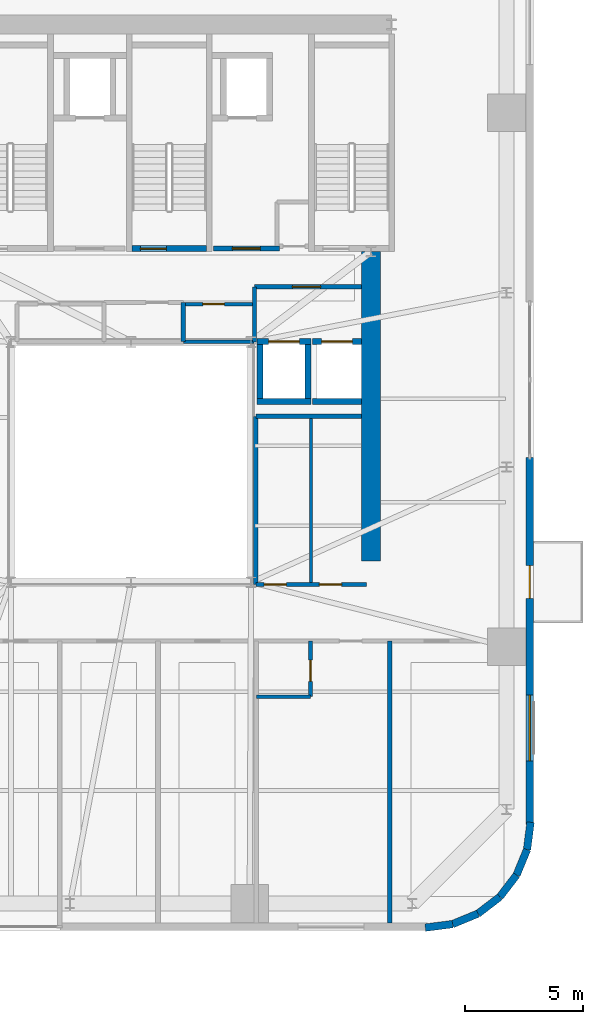
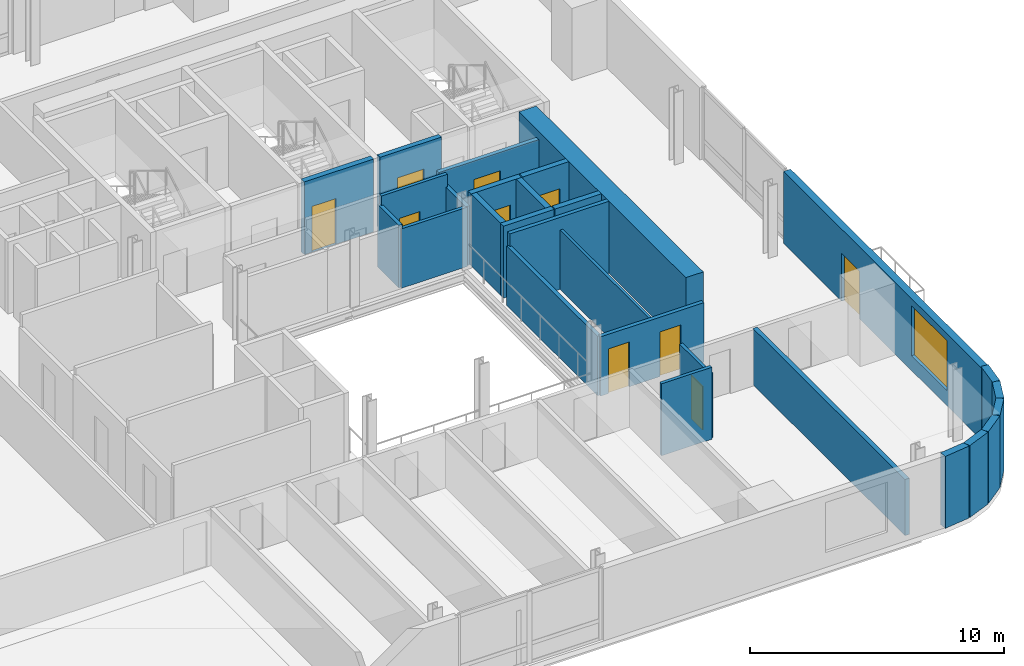
# One storey, part 7 of 14: 28 walls, 10 doors, 1 window, 11 openings.
"""IFC4 building model written with IfcOpenShell, lengths in metres."""

from ifc_helpers import new_model, si_unit, direction, frame, frame_2d, origin, place, context, subcontext, project, spatial, rectangle, extrude, source, transform, mapped, material, layer, layer_set, type_object, element, fill, save


model = new_model("IFC4")

# Units and contexts
model_context = context("Model", 3, precision=1e-05, world=origin(), true_north=direction((0.0, 1.0)))
body_context = subcontext(model_context, "Body", "Model", "MODEL_VIEW")
ifc_project = project(units=[si_unit("LENGTHUNIT", "METRE"), si_unit("AREAUNIT", "SQUARE_METRE"), si_unit("VOLUMEUNIT", "CUBIC_METRE"), si_unit("PLANEANGLEUNIT", "RADIAN"), si_unit("MASSUNIT", "GRAM", prefix="KILO")], contexts=[model_context])

# Site, building, storey
site_placement = place(None, origin())
site = spatial("IfcSite", under=ifc_project, at=site_placement, CompositionType="ELEMENT")
building_placement = place(site_placement, origin())
building = spatial("IfcBuilding", under=site, at=building_placement, Name="Vardaveli Station Tower", CompositionType="ELEMENT")
storey_placement = place(building_placement, frame((0.0, 0.0, 126.10009765625)))
storey = spatial("IfcBuildingStorey", under=building, at=storey_placement, Name="L32", CompositionType="ELEMENT", Elevation=126.10009765625)

# Wall
ifc_material_1 = material(Name="Concrete C50/60", Category="concrete")
ifc_layer_1 = layer(ifc_material_1, 0.800048828125, Name="Concrete C50/60")
ifc_layer_set_1 = layer_set([ifc_layer_1], Name="Concrete C50/60")
wall_type_1 = type_object("IfcWallType", Name="WAL-CORE-800", PredefinedType="SHEAR", material=ifc_layer_set_1)
shared_shape_1 = source(origin(), body_context, "Body", "SweptSolid", [
    extrude(rectangle(XDim=13.14990234375, YDim=0.800048828125, at=frame_2d((6.574951171875, 0.0))), origin(), (0.0, 0.0, 1.0), 3.4599609375),
])
wall_1_placement = place(storey_placement, frame((46.5, 17.5, 0.0), z_axis=(0.0, 0.0, 1.0), x_axis=(0.0, 1.0, 0.0)))
element("IfcWall", 1, at=wall_1_placement, inside=storey, type_object=wall_type_1, Name="SW-L32-EAST2", PredefinedType="SHEAR", context=body_context, shape_type="MappedRepresentation", body=[
    mapped(shared_shape_1, transform((0.0, 0.0, 0.0), scale=1.0)),
])

# Wall, openings, door, window
ifc_material_2 = material(Name="Precast concrete C45/55", Category="concrete")
ifc_layer_2 = layer(ifc_material_2, 0.320068359375, Name="Precast concrete C45/55")
ifc_layer_set_2 = layer_set([ifc_layer_2], Name="Precast concrete C45/55")
wall_type_2 = type_object("IfcWallType", Name="WAL-EXT-STONE-320", PredefinedType="SOLIDWALL", material=ifc_layer_set_2)
shared_shape_2 = source(origin(), body_context, "Body", "SweptSolid", [
    extrude(rectangle(XDim=15.599853515625, YDim=0.320068359375, at=frame_2d((7.7998046875, 0.0))), origin(), (0.0, 0.0, 1.0), 3.4599609375),
])
wall_2_placement = place(storey_placement, frame((53.239990234375, 6.300048828125, 0.0), z_axis=(0.0, 0.0, 1.0), x_axis=(0.0, 1.0, 0.0)))
wall_2 = element("IfcWall", 2, at=wall_2_placement, inside=storey, type_object=wall_type_2, Name="EW-L32-E1", PredefinedType="SOLIDWALL", context=body_context, shape_type="MappedRepresentation", body=[
    mapped(shared_shape_2, transform((0.0, 0.0, 0.0), scale=1.0)),
])
shared_shape_3 = source(origin(), body_context, "Body", "SweptSolid", [
    extrude(rectangle(XDim=1.39990234375, YDim=2.300048828125, at=frame_2d((0.699951171875, 1.14990234375))), frame((0.0, 0.169921875, 0.0), z_axis=(0.0, -1.0, 0.0), x_axis=(1.0, 0.0, 0.0)), (0.0, 0.0, 1.0), 0.340087890625),
])
opening_1_placement = place(wall_2_placement, frame((9.6103515625, 0.0, 0.0)))
opening_1 = element("IfcOpeningElement", 3, at=opening_1_placement, cuts=wall_2, Name="Opening D-09", PredefinedType="OPENING", context=body_context, shape_type="MappedRepresentation", body=[
    mapped(shared_shape_3, transform((0.0, 0.0, 0.0), scale=1.0)),
])
shared_shape_4 = source(origin(), body_context, "Body", "SweptSolid", [
    extrude(rectangle(XDim=2.800048828125, YDim=2.39990234375, at=frame_2d((1.39990234375, 1.199951171875))), frame((0.0, 0.169921875, 0.0), z_axis=(0.0, -1.0, 0.0), x_axis=(1.0, 0.0, 0.0)), (0.0, 0.0, 1.0), 0.340087890625),
])
opening_2_placement = place(wall_2_placement, frame((2.705078125, 0.0, 0.719970703125)))
opening_2 = element("IfcOpeningElement", 4, at=opening_2_placement, cuts=wall_2, Name="Opening W-04", PredefinedType="OPENING", context=body_context, shape_type="MappedRepresentation", body=[
    mapped(shared_shape_4, transform((0.0, 0.0, 0.0), scale=1.0)),
])
ifc_material_3 = material(Name="Thermally broken aluminium glass", Category="aluminium")
door_type_1 = type_object("IfcDoorType", Name="DR-LOG-1400x2300", OperationType="DOUBLE_DOOR_SLIDING", PredefinedType="DOOR", material=ifc_material_3)
shared_shape_5 = source(origin(), body_context, "Body", "SweptSolid", [
    extrude(rectangle(XDim=1.39990234375, YDim=2.300048828125, at=frame_2d((0.699951171875, 1.14990234375))), frame((0.0, 0.02490234375, 0.0), z_axis=(0.0, -1.0, 0.0), x_axis=(1.0, 0.0, 0.0)), (0.0, 0.0, 1.0), 0.050048828125),
])
door_1_placement = place(opening_1_placement, frame((1.39990234375, 0.0, 0.0), z_axis=(0.0, 0.0, 1.0), x_axis=(-1.0, 0.0, 0.0)))
door_1 = element("IfcDoor", 5, at=door_1_placement, inside=storey, type_object=door_type_1, Name="DLG-L32-E", OperationType="DOUBLE_DOOR_SLIDING", OverallHeight=2.300048828125, OverallWidth=1.39990234375, PredefinedType="DOOR", context=body_context, shape_type="MappedRepresentation", body=[
    mapped(shared_shape_5, transform((0.0, 0.0, 0.0), scale=1.0)),
])
fill(opening_1, door_1)
ifc_material_4 = material(Name="Low-E solar-control glass", Category="glass")
window_type = type_object("IfcWindowType", Name="WIN-SUITE-2800x2400", PartitioningType="SINGLE_PANEL", PredefinedType="WINDOW", material=ifc_material_4)
shared_shape_6 = source(origin(), body_context, "Body", "SweptSolid", [
    extrude(rectangle(XDim=2.800048828125, YDim=2.39990234375, at=frame_2d((1.39990234375, 1.199951171875))), frame((0.0, 0.030029296875, 0.0), z_axis=(0.0, -1.0, 0.0), x_axis=(1.0, 0.0, 0.0)), (0.0, 0.0, 1.0), 0.06005859375),
])
window_placement = place(opening_2_placement, origin())
window = element("IfcWindow", 6, at=window_placement, inside=storey, type_object=window_type, Name="WN-L32-E1", OverallHeight=2.39990234375, OverallWidth=2.800048828125, PartitioningType="SINGLE_PANEL", PredefinedType="WINDOW", context=body_context, shape_type="MappedRepresentation", body=[
    mapped(shared_shape_6, transform((0.0, 0.0, 0.0), scale=1.0)),
])
fill(opening_2, window)

# Walls
shared_shape_7 = source(origin(), body_context, "Body", "SweptSolid", [
    extrude(rectangle(XDim=1.170654296875, YDim=0.320068359375, at=frame_2d((0.58544921875, 0.0))), origin(), (0.0, 0.0, 1.0), 3.4599609375),
])
wall_3_placement = place(storey_placement, frame((53.12548828125, 5.23974609375, 0.0), z_axis=(0.0, 0.0, 1.0), x_axis=(0.128269133229, 0.991739395941, 0.0)))
element("IfcWall", 7, at=wall_3_placement, inside=storey, type_object=wall_type_2, Name="EW-L32-CR2-6", PredefinedType="SOLIDWALL", context=body_context, shape_type="MappedRepresentation", body=[
    mapped(shared_shape_7, transform((0.0, 0.0, 0.0), scale=1.0)),
])
shared_shape_8 = source(origin(), body_context, "Body", "SweptSolid", [
    extrude(rectangle(XDim=1.1689453125, YDim=0.320068359375, at=frame_2d((0.58447265625, 0.0))), origin(), (0.0, 0.0, 1.0), 3.4599609375),
])
for number, where, z_axis, x_axis, name in (
    (8, (51.96875, 3.231201171875, 0.0), (0.0, 0.0, 1.0), (0.608387696831, 0.793639975269, 0.0), "EW-L32-CR2-4"),
    (9, (52.679931640625, 4.158935546875, 0.0), (0.0, 0.0, 1.0), (0.381127904695, 0.924522320046, 0.0), "EW-L32-CR2-5"),
):
    element("IfcWall", number, at=place(storey_placement, frame(where, z_axis=z_axis, x_axis=x_axis)), inside=storey, type_object=wall_type_2, Name=name, PredefinedType="SOLIDWALL", context=body_context, shape_type="MappedRepresentation", body=[
        mapped(shared_shape_8, transform((0.0, 0.0, 0.0), scale=1.0)),
    ])
shared_shape_9 = source(origin(), body_context, "Body", "SweptSolid", [
    extrude(rectangle(XDim=1.168701171875, YDim=0.320068359375, at=frame_2d((0.58447265625, 0.0))), origin(), (0.0, 0.0, 1.0), 3.4599609375),
])
wall_4_placement = place(storey_placement, frame((51.041259765625, 2.520263671875, 0.0), z_axis=(0.0, 0.0, 1.0), x_axis=(0.793663520347, 0.608356981114, 0.0)))
element("IfcWall", 10, at=wall_4_placement, inside=storey, type_object=wall_type_2, Name="EW-L32-CR2-3", PredefinedType="SOLIDWALL", context=body_context, shape_type="MappedRepresentation", body=[
    mapped(shared_shape_9, transform((0.0, 0.0, 0.0), scale=1.0)),
])
shared_shape_10 = source(origin(), body_context, "Body", "SweptSolid", [
    extrude(rectangle(XDim=1.16943359375, YDim=0.320068359375, at=frame_2d((0.584716796875, 0.0))), origin(), (0.0, 0.0, 1.0), 3.4599609375),
])
wall_5_placement = place(storey_placement, frame((49.960205078125, 2.074462890625, 0.0), z_axis=(0.0, 0.0, 1.0), x_axis=(0.924479075121, 0.381232789334, 0.0)))
element("IfcWall", 11, at=wall_5_placement, inside=storey, type_object=wall_type_2, Name="EW-L32-CR2-2", PredefinedType="SOLIDWALL", context=body_context, shape_type="MappedRepresentation", body=[
    mapped(shared_shape_10, transform((0.0, 0.0, 0.0), scale=1.0)),
])
shared_shape_11 = source(origin(), body_context, "Body", "SweptSolid", [
    extrude(rectangle(XDim=1.170166015625, YDim=0.320068359375, at=frame_2d((0.5849609375, 0.0))), origin(), (0.0, 0.0, 1.0), 3.4599609375),
])
wall_6_placement = place(storey_placement, frame((48.799560546875, 1.924560546875, 0.0), z_axis=(0.0, 0.0, 1.0), x_axis=(0.991762485493, 0.128090485085, 0.0)))
element("IfcWall", 12, at=wall_6_placement, inside=storey, type_object=wall_type_2, Name="EW-L32-CR2-1", PredefinedType="SOLIDWALL", context=body_context, shape_type="MappedRepresentation", body=[
    mapped(shared_shape_11, transform((0.0, 0.0, 0.0), scale=1.0)),
])

# Wall, opening, door
ifc_material_5 = material(Name="Concrete C40/50", Category="concrete")
ifc_layer_3 = layer(ifc_material_5, 0.25, Name="Concrete C40/50")
ifc_layer_set_3 = layer_set([ifc_layer_3], Name="Concrete C40/50")
wall_type_3 = type_object("IfcWallType", Name="WAL-SHAFT-250", PredefinedType="SOLIDWALL", material=ifc_layer_set_3)
shared_shape_12 = source(origin(), body_context, "Body", "SweptSolid", [
    extrude(rectangle(XDim=3.14990234375, YDim=0.25, at=frame_2d((1.574951171875, 0.0))), origin(), (0.0, 0.0, 1.0), 3.5),
])
wall_7_placement = place(storey_placement, frame((36.35009765625, 30.77490234375, 0.0), z_axis=(0.0, 0.0, 1.0), x_axis=(1.0, 0.0, 0.0)))
wall_7 = element("IfcWall", 13, at=wall_7_placement, inside=storey, type_object=wall_type_3, Name="W-L32-ST-2S", PredefinedType="SOLIDWALL", context=body_context, shape_type="MappedRepresentation", body=[
    mapped(shared_shape_12, transform((0.0, 0.0, 0.0), scale=1.0)),
])
shared_shape_13 = source(origin(), body_context, "Body", "SweptSolid", [
    extrude(rectangle(XDim=1.10009765625, YDim=2.199951171875, at=frame_2d((0.550048828125, 1.10009765625))), frame((0.0, 0.135009765625, 0.0), z_axis=(0.0, -1.0, 0.0), x_axis=(1.0, 0.0, 0.0)), (0.0, 0.0, 1.0), 0.27001953125),
])
opening_3_placement = place(wall_7_placement, frame((0.35009765625, 0.0, 0.0)))
opening_3 = element("IfcOpeningElement", 14, at=opening_3_placement, cuts=wall_7, Name="Opening D-04", PredefinedType="OPENING", context=body_context, shape_type="MappedRepresentation", body=[
    mapped(shared_shape_13, transform((0.0, 0.0, 0.0), scale=1.0)),
])
ifc_material_6 = material(Name="Steel smokeproof fire doorset", Category="steel")
door_type_2 = type_object("IfcDoorType", Name="DR-ST-1100x2200", OperationType="NOTDEFINED", PredefinedType="DOOR", material=ifc_material_6)
shared_shape_14 = source(origin(), body_context, "Body", "SweptSolid", [
    extrude(rectangle(XDim=1.10009765625, YDim=2.199951171875, at=frame_2d((0.550048828125, 1.10009765625))), frame((0.0, 0.02490234375, 0.0), z_axis=(0.0, -1.0, 0.0), x_axis=(1.0, 0.0, 0.0)), (0.0, 0.0, 1.0), 0.050048828125),
])
door_2_placement = place(opening_3_placement, origin())
door_2 = element("IfcDoor", 15, at=door_2_placement, inside=storey, type_object=door_type_2, Name="DST-2-L32", OperationType="SINGLE_SWING_LEFT", OverallHeight=2.199951171875, OverallWidth=1.10009765625, PredefinedType="DOOR", context=body_context, shape_type="MappedRepresentation", body=[
    mapped(shared_shape_14, transform((0.0, 0.0, 0.0), scale=1.0)),
])
fill(opening_3, door_2)

ifc_layer_4 = layer(ifc_material_5, 0.219970703125, Name="Concrete C40/50")
ifc_layer_set_4 = layer_set([ifc_layer_4], Name="Concrete C40/50")
wall_type_4 = type_object("IfcWallType", Name="WAL-FFLOBBY-220", PredefinedType="SOLIDWALL", material=ifc_layer_set_4)
shared_shape_15 = source(origin(), body_context, "Body", "SweptSolid", [
    extrude(rectangle(XDim=2.800048828125, YDim=0.219970703125, at=frame_2d((1.39990234375, 0.0))), origin(), (0.0, 0.0, 1.0), 3.4599609375),
])
wall_8_placement = place(storey_placement, frame((39.800048828125, 30.780029296875, 0.0), z_axis=(0.0, 0.0, 1.0), x_axis=(1.0, 0.0, 0.0)))
wall_8 = element("IfcWall", 16, at=wall_8_placement, inside=storey, type_object=wall_type_4, Name="W-L32-FFL2S", PredefinedType="SOLIDWALL", context=body_context, shape_type="MappedRepresentation", body=[
    mapped(shared_shape_15, transform((0.0, 0.0, 0.0), scale=1.0)),
])
shared_shape_16 = source(origin(), body_context, "Body", "SweptSolid", [
    extrude(rectangle(XDim=1.199951171875, YDim=2.199951171875, at=frame_2d((0.60009765625, 1.10009765625))), frame((0.0, 0.1201171875, 0.0), z_axis=(0.0, -1.0, 0.0), x_axis=(1.0, 0.0, 0.0)), (0.0, 0.0, 1.0), 0.239990234375),
])
opening_4_placement = place(wall_8_placement, frame((0.800048828125, 0.0, 0.0)))
opening_4 = element("IfcOpeningElement", 17, at=opening_4_placement, cuts=wall_8, Name="Opening D-03", PredefinedType="OPENING", context=body_context, shape_type="MappedRepresentation", body=[
    mapped(shared_shape_16, transform((0.0, 0.0, 0.0), scale=1.0)),
])
door_type_3 = type_object("IfcDoorType", Name="DR-FFL-1200x2200", OperationType="NOTDEFINED", PredefinedType="DOOR", material=ifc_material_6)
shared_shape_17 = source(origin(), body_context, "Body", "SweptSolid", [
    extrude(rectangle(XDim=1.199951171875, YDim=2.199951171875, at=frame_2d((0.60009765625, 1.10009765625))), frame((0.0, 0.02490234375, 0.0), z_axis=(0.0, -1.0, 0.0), x_axis=(1.0, 0.0, 0.0)), (0.0, 0.0, 1.0), 0.050048828125),
])
door_3_placement = place(opening_4_placement, origin())
door_3 = element("IfcDoor", 18, at=door_3_placement, inside=storey, type_object=door_type_3, Name="DFFL2-L32", OperationType="SINGLE_SWING_RIGHT", OverallHeight=2.199951171875, OverallWidth=1.199951171875, PredefinedType="DOOR", context=body_context, shape_type="MappedRepresentation", body=[
    mapped(shared_shape_17, transform((0.0, 0.0, 0.0), scale=1.0)),
])
fill(opening_4, door_3)

# Wall
shared_shape_18 = source(origin(), body_context, "Body", "SweptSolid", [
    extrude(rectangle(XDim=2.300048828125, YDim=0.25, at=frame_2d((1.14990234375, 0.0))), origin(), (0.0, 0.0, 1.0), 3.4599609375),
])
wall_9_placement = place(storey_placement, frame((41.64990234375, 24.27490234375, 0.0), z_axis=(0.0, 0.0, 1.0), x_axis=(1.0, 0.0, 0.0)))
element("IfcWall", 19, at=wall_9_placement, inside=storey, type_object=wall_type_3, Name="SHW-SRV-01-L32-S", PredefinedType="SOLIDWALL", context=body_context, shape_type="MappedRepresentation", body=[
    mapped(shared_shape_18, transform((0.0, 0.0, 0.0), scale=1.0)),
])

# Wall, opening, door
wall_10_placement = place(storey_placement, frame((41.64990234375, 26.824951171875, 0.0), z_axis=(0.0, 0.0, 1.0), x_axis=(1.0, 0.0, 0.0)))
wall_10 = element("IfcWall", 20, at=wall_10_placement, inside=storey, type_object=wall_type_3, Name="SHW-SRV-01-L32-N", PredefinedType="SOLIDWALL", context=body_context, shape_type="MappedRepresentation", body=[
    mapped(shared_shape_18, transform((0.0, 0.0, 0.0), scale=1.0)),
])
shared_shape_19 = source(origin(), body_context, "Body", "SweptSolid", [
    extrude(rectangle(XDim=1.300048828125, YDim=2.300048828125, at=frame_2d((0.64990234375, 1.14990234375))), frame((0.0, 0.135009765625, 0.0), z_axis=(0.0, -1.0, 0.0), x_axis=(1.0, 0.0, 0.0)), (0.0, 0.0, 1.0), 0.27001953125),
])
opening_5_placement = place(wall_10_placement, frame((0.5, 0.0, 0.0)))
opening_5 = element("IfcOpeningElement", 21, at=opening_5_placement, cuts=wall_10, Name="Opening LD-03", PredefinedType="OPENING", context=body_context, shape_type="MappedRepresentation", body=[
    mapped(shared_shape_19, transform((0.0, 0.0, 0.0), scale=1.0)),
])
ifc_material_7 = material(Name="Brushed stainless steel", Category="steel")
door_type_4 = type_object("IfcDoorType", Name="DR-LD-1300x2300", OperationType="DOUBLE_DOOR_SLIDING", PredefinedType="DOOR", material=ifc_material_7)
shared_shape_20 = source(origin(), body_context, "Body", "SweptSolid", [
    extrude(rectangle(XDim=1.300048828125, YDim=2.300048828125, at=frame_2d((0.64990234375, 1.14990234375))), frame((0.0, 0.02490234375, 0.0), z_axis=(0.0, -1.0, 0.0), x_axis=(1.0, 0.0, 0.0)), (0.0, 0.0, 1.0), 0.050048828125),
])
door_4_placement = place(opening_5_placement, origin())
door_4 = element("IfcDoor", 22, at=door_4_placement, inside=storey, type_object=door_type_4, Name="LD-SRV-01-L32", OperationType="DOUBLE_DOOR_SLIDING", OverallHeight=2.300048828125, OverallWidth=1.300048828125, PredefinedType="DOOR", context=body_context, shape_type="MappedRepresentation", body=[
    mapped(shared_shape_20, transform((0.0, 0.0, 0.0), scale=1.0)),
])
fill(opening_5, door_4)

# Walls
for number, where, z_axis, x_axis, name in (
    (23, (41.77490234375, 24.39990234375, 0.0), (0.0, 0.0, 1.0), (0.0, 1.0, 0.0), "SHW-SRV-01-L32-W"),
    (24, (43.824951171875, 24.39990234375, 0.0), (0.0, 0.0, 1.0), (0.0, 1.0, 0.0), "SHW-SRV-01-L32-E"),
):
    element("IfcWall", number, at=place(storey_placement, frame(where, z_axis=z_axis, x_axis=x_axis)), inside=storey, type_object=wall_type_3, Name=name, PredefinedType="SOLIDWALL", context=body_context, shape_type="MappedRepresentation", body=[
        mapped(shared_shape_18, transform((0.0, 0.0, 0.0), scale=1.0)),
    ])
shared_shape_21 = source(origin(), body_context, "Body", "SweptSolid", [
    extrude(rectangle(XDim=2.10009765625, YDim=0.25, at=frame_2d((1.050048828125, 0.0))), origin(), (0.0, 0.0, 1.0), 3.4599609375),
])
wall_11_placement = place(storey_placement, frame((44.0, 24.27490234375, 0.0), z_axis=(0.0, 0.0, 1.0), x_axis=(1.0, 0.0, 0.0)))
element("IfcWall", 25, at=wall_11_placement, inside=storey, type_object=wall_type_3, Name="SHW-SRV-02-L32-S", PredefinedType="SOLIDWALL", context=body_context, shape_type="MappedRepresentation", body=[
    mapped(shared_shape_21, transform((0.0, 0.0, 0.0), scale=1.0)),
])

# Wall, opening, door
wall_12_placement = place(storey_placement, frame((44.0, 26.824951171875, 0.0), z_axis=(0.0, 0.0, 1.0), x_axis=(1.0, 0.0, 0.0)))
wall_12 = element("IfcWall", 26, at=wall_12_placement, inside=storey, type_object=wall_type_3, Name="SHW-SRV-02-L32-N", PredefinedType="SOLIDWALL", context=body_context, shape_type="MappedRepresentation", body=[
    mapped(shared_shape_21, transform((0.0, 0.0, 0.0), scale=1.0)),
])
opening_6_placement = place(wall_12_placement, frame((0.39990234375, 0.0, 0.0)))
opening_6 = element("IfcOpeningElement", 27, at=opening_6_placement, cuts=wall_12, Name="Opening LD-03", PredefinedType="OPENING", context=body_context, shape_type="MappedRepresentation", body=[
    mapped(shared_shape_19, transform((0.0, 0.0, 0.0), scale=1.0)),
])
door_5_placement = place(opening_6_placement, origin())
door_5 = element("IfcDoor", 28, at=door_5_placement, inside=storey, type_object=door_type_4, Name="LD-SRV-02-L32", OperationType="DOUBLE_DOOR_SLIDING", OverallHeight=2.300048828125, OverallWidth=1.300048828125, PredefinedType="DOOR", context=body_context, shape_type="MappedRepresentation", body=[
    mapped(shared_shape_20, transform((0.0, 0.0, 0.0), scale=1.0)),
])
fill(opening_6, door_5)

# Wall
ifc_material_8 = material(Name="Fire-rated gypsum stud partition")
ifc_layer_5 = layer(ifc_material_8, 0.179931640625, Name="Fire-rated gypsum stud partition")
ifc_layer_set_5 = layer_set([ifc_layer_5], Name="Fire-rated gypsum stud partition")
wall_type_5 = type_object("IfcWallType", Name="WAL-CORR-180", PredefinedType="PARTITIONING", material=ifc_layer_set_5)
shared_shape_22 = source(origin(), body_context, "Body", "SweptSolid", [
    extrude(rectangle(XDim=4.497802734375, YDim=0.179931640625, at=frame_2d((2.2490234375, 0.0))), origin(), (0.0, 0.0, 1.0), 3.4599609375),
])
wall_13_placement = place(storey_placement, frame((41.60009765625, 23.64990234375, 0.0), z_axis=(0.0, 0.0, 1.0), x_axis=(1.0, 0.0, 0.0)))
element("IfcWall", 29, at=wall_13_placement, inside=storey, type_object=wall_type_5, Name="W-L32-ATE-N", PredefinedType="PARTITIONING", context=body_context, shape_type="MappedRepresentation", body=[
    mapped(shared_shape_22, transform((0.0, 0.0, 0.0), scale=1.0)),
])

# Wall, opening, door
ifc_material_9 = material(Name="Moisture-resistant stud partition")
ifc_layer_6 = layer(ifc_material_9, 0.14990234375, Name="Moisture-resistant stud partition")
ifc_layer_set_6 = layer_set([ifc_layer_6], Name="Moisture-resistant stud partition")
wall_type_6 = type_object("IfcWallType", Name="WAL-WET-150", PredefinedType="PARTITIONING", material=ifc_layer_set_6)
shared_shape_23 = source(origin(), body_context, "Body", "SweptSolid", [
    extrude(rectangle(XDim=3.0, YDim=0.14990234375, at=frame_2d((1.5, 0.0))), origin(), (0.0, 0.0, 1.0), 3.4599609375),
])
wall_14_placement = place(storey_placement, frame((38.52001953125, 28.419921875, 0.0), z_axis=(0.0, 0.0, 1.0), x_axis=(1.0, 0.0, 0.0)))
wall_14 = element("IfcWall", 30, at=wall_14_placement, inside=storey, type_object=wall_type_6, Name="W-L32-WCA2-N", PredefinedType="PARTITIONING", context=body_context, shape_type="MappedRepresentation", body=[
    mapped(shared_shape_23, transform((0.0, 0.0, 0.0), scale=1.0)),
])
shared_shape_24 = source(origin(), body_context, "Body", "SweptSolid", [
    extrude(rectangle(XDim=0.919921875, YDim=2.10009765625, at=frame_2d((0.4599609375, 1.050048828125))), frame((0.0, 0.0849609375, 0.0), z_axis=(0.0, -1.0, 0.0), x_axis=(1.0, 0.0, 0.0)), (0.0, 0.0, 1.0), 0.169921875),
])
opening_7_placement = place(wall_14_placement, frame((0.830078125, 0.0, 0.0)))
opening_7 = element("IfcOpeningElement", 31, at=opening_7_placement, cuts=wall_14, Name="Opening D-07", PredefinedType="OPENING", context=body_context, shape_type="MappedRepresentation", body=[
    mapped(shared_shape_24, transform((0.0, 0.0, 0.0), scale=1.0)),
])
ifc_material_10 = material(Name="Moisture-resistant hardwood door", Category="wood")
door_type_5 = type_object("IfcDoorType", Name="DR-WC-920x2100", OperationType="NOTDEFINED", PredefinedType="DOOR", material=ifc_material_10)
shared_shape_25 = source(origin(), body_context, "Body", "SweptSolid", [
    extrude(rectangle(XDim=0.919921875, YDim=2.10009765625, at=frame_2d((0.4599609375, 1.050048828125))), frame((0.0, 0.02490234375, 0.0), z_axis=(0.0, -1.0, 0.0), x_axis=(1.0, 0.0, 0.0)), (0.0, 0.0, 1.0), 0.050048828125),
])
door_6_placement = place(opening_7_placement, origin())
door_6 = element("IfcDoor", 32, at=door_6_placement, inside=storey, type_object=door_type_5, Name="D-L32-WCA", OperationType="SINGLE_SWING_LEFT", OverallHeight=2.10009765625, OverallWidth=0.919921875, PredefinedType="DOOR", context=body_context, shape_type="MappedRepresentation", body=[
    mapped(shared_shape_25, transform((0.0, 0.0, 0.0), scale=1.0)),
])
fill(opening_7, door_6)

# Wall
shared_shape_26 = source(origin(), body_context, "Body", "SweptSolid", [
    extrude(rectangle(XDim=1.659912109375, YDim=0.179931640625, at=frame_2d((0.830078125, 0.0))), origin(), (0.0, 0.0, 1.0), 3.001953125),
])
wall_15_placement = place(storey_placement, frame((38.52001953125, 26.820068359375, 0.0), z_axis=(0.0, 0.0, 1.0), x_axis=(0.0, 1.0, 0.0)))
element("IfcWall", 33, at=wall_15_placement, inside=storey, type_object=wall_type_5, Name="W-L32-HKP2-E", PredefinedType="PARTITIONING", context=body_context, shape_type="MappedRepresentation", body=[
    mapped(shared_shape_26, transform((0.0, 0.0, 0.0), scale=1.0)),
])

# Wall, opening, door
shared_shape_27 = source(origin(), body_context, "Body", "SweptSolid", [
    extrude(rectangle(XDim=4.5478515625, YDim=0.179931640625, at=frame_2d((2.27392578125, 0.0))), origin(), (0.0, 0.0, 1.0), 3.091796875),
])
wall_16_placement = place(storey_placement, frame((41.550048828125, 29.14990234375, 0.0), z_axis=(0.0, 0.0, 1.0), x_axis=(1.0, 0.0, 0.0)))
wall_16 = element("IfcWall", 34, at=wall_16_placement, inside=storey, type_object=wall_type_5, Name="W-L32-SVFN", PredefinedType="PARTITIONING", context=body_context, shape_type="MappedRepresentation", body=[
    mapped(shared_shape_27, transform((0.0, 0.0, 0.0), scale=1.0)),
])
shared_shape_28 = source(origin(), body_context, "Body", "SweptSolid", [
    extrude(rectangle(XDim=1.199951171875, YDim=2.199951171875, at=frame_2d((0.60009765625, 1.10009765625))), frame((0.0, 0.10009765625, 0.0), z_axis=(0.0, -1.0, 0.0), x_axis=(1.0, 0.0, 0.0)), (0.0, 0.0, 1.0), 0.199951171875),
])
opening_8_placement = place(wall_16_placement, frame((1.60009765625, 0.0, 0.0)))
opening_8 = element("IfcOpeningElement", 35, at=opening_8_placement, cuts=wall_16, Name="Opening D-03", PredefinedType="OPENING", context=body_context, shape_type="MappedRepresentation", body=[
    mapped(shared_shape_28, transform((0.0, 0.0, 0.0), scale=1.0)),
])
door_7_placement = place(opening_8_placement, origin())
door_7 = element("IfcDoor", 36, at=door_7_placement, inside=storey, type_object=door_type_3, Name="D-L32-SVF", OperationType="SINGLE_SWING_RIGHT", OverallHeight=2.199951171875, OverallWidth=1.199951171875, PredefinedType="DOOR", context=body_context, shape_type="MappedRepresentation", body=[
    mapped(shared_shape_17, transform((0.0, 0.0, 0.0), scale=1.0)),
])
fill(opening_8, door_7)

# Wall, openings, doors
shared_shape_29 = source(origin(), body_context, "Body", "SweptSolid", [
    extrude(rectangle(XDim=4.699951171875, YDim=0.179931640625, at=frame_2d((2.35009765625, 0.0))), origin(), (0.0, 0.0, 1.0), 2.851806640625),
])
wall_17_placement = place(storey_placement, frame((41.60009765625, 16.5, 0.0), z_axis=(0.0, 0.0, 1.0), x_axis=(1.0, 0.0, 0.0)))
wall_17 = element("IfcWall", 37, at=wall_17_placement, inside=storey, type_object=wall_type_5, Name="W-L32-ATE-S", PredefinedType="PARTITIONING", context=body_context, shape_type="MappedRepresentation", body=[
    mapped(shared_shape_29, transform((0.0, 0.0, 0.0), scale=1.0)),
])
shared_shape_30 = source(origin(), body_context, "Body", "SweptSolid", [
    extrude(rectangle(XDim=0.949951171875, YDim=2.14990234375, at=frame_2d((0.47509765625, 1.074951171875))), frame((0.0, 0.10009765625, 0.0), z_axis=(0.0, -1.0, 0.0), x_axis=(1.0, 0.0, 0.0)), (0.0, 0.0, 1.0), 0.199951171875),
])
opening_9_placement = place(wall_17_placement, frame((0.35009765625, 0.0, 0.0)))
opening_9 = element("IfcOpeningElement", 38, at=opening_9_placement, cuts=wall_17, Name="Opening D-11", PredefinedType="OPENING", context=body_context, shape_type="MappedRepresentation", body=[
    mapped(shared_shape_30, transform((0.0, 0.0, 0.0), scale=1.0)),
])
opening_10_placement = place(wall_17_placement, frame((2.699951171875, 0.0, 0.0)))
opening_10 = element("IfcOpeningElement", 39, at=opening_10_placement, cuts=wall_17, Name="Opening D-11", PredefinedType="OPENING", context=body_context, shape_type="MappedRepresentation", body=[
    mapped(shared_shape_30, transform((0.0, 0.0, 0.0), scale=1.0)),
])
ifc_material_11 = material(Name="Oak veneer internal suite door")
door_type_6 = type_object("IfcDoorType", Name="DR-INT-950x2150", OperationType="NOTDEFINED", PredefinedType="DOOR", material=ifc_material_11)
shared_shape_31 = source(origin(), body_context, "Body", "SweptSolid", [
    extrude(rectangle(XDim=0.949951171875, YDim=2.14990234375, at=frame_2d((0.47509765625, 1.074951171875))), frame((0.0, 0.02490234375, 0.0), z_axis=(0.0, -1.0, 0.0), x_axis=(1.0, 0.0, 0.0)), (0.0, 0.0, 1.0), 0.050048828125),
])
door_8_placement = place(opening_9_placement, origin())
door_8 = element("IfcDoor", 40, at=door_8_placement, inside=storey, type_object=door_type_6, Name="D-L32-ATE1", OperationType="SINGLE_SWING_RIGHT", OverallHeight=2.14990234375, OverallWidth=0.949951171875, PredefinedType="DOOR", context=body_context, shape_type="MappedRepresentation", body=[
    mapped(shared_shape_31, transform((0.0, 0.0, 0.0), scale=1.0)),
])
fill(opening_9, door_8)
door_9_placement = place(opening_10_placement, origin())
door_9 = element("IfcDoor", 41, at=door_9_placement, inside=storey, type_object=door_type_6, Name="D-L32-ATE2", OperationType="SINGLE_SWING_RIGHT", OverallHeight=2.14990234375, OverallWidth=0.949951171875, PredefinedType="DOOR", context=body_context, shape_type="MappedRepresentation", body=[
    mapped(shared_shape_31, transform((0.0, 0.0, 0.0), scale=1.0)),
])
fill(opening_10, door_9)

# Wall, opening, door
shared_shape_32 = source(origin(), body_context, "Body", "SweptSolid", [
    extrude(rectangle(XDim=2.360107421875, YDim=0.14990234375, at=frame_2d((1.18017578125, 0.0))), origin(), (0.0, 0.0, 1.0), 3.121826171875),
])
wall_18_placement = place(storey_placement, frame((43.925048828125, 11.739990234375, 0.0), z_axis=(0.0, 0.0, 1.0), x_axis=(0.0, 1.0, 0.0)))
wall_18 = element("IfcWall", 42, at=wall_18_placement, inside=storey, type_object=wall_type_6, Name="W-L32-BS7-E", PredefinedType="PARTITIONING", context=body_context, shape_type="MappedRepresentation", body=[
    mapped(shared_shape_32, transform((0.0, 0.0, 0.0), scale=1.0)),
])
shared_shape_33 = source(origin(), body_context, "Body", "SweptSolid", [
    extrude(rectangle(XDim=0.89990234375, YDim=2.10009765625, at=frame_2d((0.449951171875, 1.050048828125))), frame((0.0, 0.0849609375, 0.0), z_axis=(0.0, -1.0, 0.0), x_axis=(1.0, 0.0, 0.0)), (0.0, 0.0, 1.0), 0.169921875),
])
opening_11_placement = place(wall_18_placement, frame((0.64990234375, 0.0, 0.0)))
opening_11 = element("IfcOpeningElement", 43, at=opening_11_placement, cuts=wall_18, Name="Opening D-08", PredefinedType="OPENING", context=body_context, shape_type="MappedRepresentation", body=[
    mapped(shared_shape_33, transform((0.0, 0.0, 0.0), scale=1.0)),
])
ifc_material_12 = material(Name="Moisture-resistant oak door")
door_type_7 = type_object("IfcDoorType", Name="DR-BATH-900x2100", OperationType="NOTDEFINED", PredefinedType="DOOR", material=ifc_material_12)
shared_shape_34 = source(origin(), body_context, "Body", "SweptSolid", [
    extrude(rectangle(XDim=0.89990234375, YDim=2.10009765625, at=frame_2d((0.449951171875, 1.050048828125))), frame((0.0, 0.02490234375, 0.0), z_axis=(0.0, -1.0, 0.0), x_axis=(1.0, 0.0, 0.0)), (0.0, 0.0, 1.0), 0.050048828125),
])
door_10_placement = place(opening_11_placement, origin())
door_10 = element("IfcDoor", 44, at=door_10_placement, inside=storey, type_object=door_type_7, Name="D-L32-BS7", OperationType="SINGLE_SWING_RIGHT", OverallHeight=2.10009765625, OverallWidth=0.89990234375, PredefinedType="DOOR", context=body_context, shape_type="MappedRepresentation", body=[
    mapped(shared_shape_34, transform((0.0, 0.0, 0.0), scale=1.0)),
])
fill(opening_11, door_10)

# Walls
ifc_material_13 = material(Name="Acoustic twin-stud gypsum partition")
ifc_layer_7 = layer(ifc_material_13, 0.199951171875, Name="Acoustic twin-stud gypsum partition")
ifc_layer_set_7 = layer_set([ifc_layer_7], Name="Acoustic twin-stud gypsum partition")
wall_type_7 = type_object("IfcWallType", Name="WAL-PARTY-200", PredefinedType="PARTITIONING", material=ifc_layer_set_7)
shared_shape_35 = source(origin(), body_context, "Body", "SweptSolid", [
    extrude(rectangle(XDim=11.97802734375, YDim=0.199951171875, at=frame_2d((5.989013671875, 0.0))), origin(), (0.0, 0.0, 1.0), 2.701904296875),
])
wall_19_placement = place(storey_placement, frame((47.2880859375, 2.1220703125, 0.0), z_axis=(0.0, 0.0, 1.0), x_axis=(0.0, 1.0, 0.0)))
element("IfcWall", 45, at=wall_19_placement, inside=storey, type_object=wall_type_7, Name="W-L32-PS7", PredefinedType="PARTITIONING", context=body_context, shape_type="MappedRepresentation", body=[
    mapped(shared_shape_35, transform((0.0, 0.0, 0.0), scale=1.0)),
])
shared_shape_36 = source(origin(), body_context, "Body", "SweptSolid", [
    extrude(rectangle(XDim=7.14990234375, YDim=0.179931640625, at=frame_2d((3.574951171875, 0.0))), origin(), (0.0, 0.0, 1.0), 2.851806640625),
])
wall_20_placement = place(storey_placement, frame((41.60009765625, 16.5, 0.0), z_axis=(0.0, 0.0, 1.0), x_axis=(0.0, 1.0, 0.0)))
element("IfcWall", 46, at=wall_20_placement, inside=storey, type_object=wall_type_5, Name="W-L32-ATE-W", PredefinedType="PARTITIONING", context=body_context, shape_type="MappedRepresentation", body=[
    mapped(shared_shape_36, transform((0.0, 0.0, 0.0), scale=1.0)),
])
ifc_material_14 = material(Name="Gypsum board stud partition")
ifc_layer_8 = layer(ifc_material_14, 0.125, Name="Gypsum board stud partition")
ifc_layer_set_8 = layer_set([ifc_layer_8], Name="Gypsum board stud partition")
wall_type_8 = type_object("IfcWallType", Name="WAL-INT-125", PredefinedType="PARTITIONING", material=ifc_layer_set_8)
shared_shape_37 = source(origin(), body_context, "Body", "SweptSolid", [
    extrude(rectangle(XDim=7.14990234375, YDim=0.125, at=frame_2d((3.574951171875, 0.0))), origin(), (0.0, 0.0, 1.0), 2.851806640625),
])
wall_21_placement = place(storey_placement, frame((43.949951171875, 16.5, 0.0), z_axis=(0.0, 0.0, 1.0), x_axis=(0.0, 1.0, 0.0)))
element("IfcWall", 47, at=wall_21_placement, inside=storey, type_object=wall_type_8, Name="W-L32-ATEM", PredefinedType="PARTITIONING", context=body_context, shape_type="MappedRepresentation", body=[
    mapped(shared_shape_37, transform((0.0, 0.0, 0.0), scale=1.0)),
])
shared_shape_38 = source(origin(), body_context, "Body", "SweptSolid", [
    extrude(rectangle(XDim=3.0, YDim=0.14990234375, at=frame_2d((1.5, 0.0))), origin(), (0.0, 0.0, 1.0), 2.851806640625),
])
wall_22_placement = place(storey_placement, frame((38.52001953125, 26.820068359375, 0.0), z_axis=(0.0, 0.0, 1.0), x_axis=(1.0, 0.0, 0.0)))
element("IfcWall", 48, at=wall_22_placement, inside=storey, type_object=wall_type_6, Name="W-L32-WCA2-S", PredefinedType="PARTITIONING", context=body_context, shape_type="MappedRepresentation", body=[
    mapped(shared_shape_38, transform((0.0, 0.0, 0.0), scale=1.0)),
])
shared_shape_39 = source(origin(), body_context, "Body", "SweptSolid", [
    extrude(rectangle(XDim=2.349853515625, YDim=0.179931640625, at=frame_2d((1.1748046875, 0.0))), origin(), (0.0, 0.0, 1.0), 2.851806640625),
])
wall_23_placement = place(storey_placement, frame((41.550048828125, 26.800048828125, 0.0), z_axis=(0.0, 0.0, 1.0), x_axis=(0.0, 1.0, 0.0)))
element("IfcWall", 49, at=wall_23_placement, inside=storey, type_object=wall_type_5, Name="W-L32-SVFW", PredefinedType="PARTITIONING", context=body_context, shape_type="MappedRepresentation", body=[
    mapped(shared_shape_39, transform((0.0, 0.0, 0.0), scale=1.0)),
])
shared_shape_40 = source(origin(), body_context, "Body", "SweptSolid", [
    extrude(rectangle(XDim=2.2900390625, YDim=0.14990234375, at=frame_2d((1.14501953125, 0.0))), origin(), (0.0, 0.0, 1.0), 3.4599609375),
])
wall_24_placement = place(storey_placement, frame((41.635009765625, 11.739990234375, 0.0), z_axis=(0.0, 0.0, 1.0), x_axis=(1.0, 0.0, 0.0)))
element("IfcWall", 50, at=wall_24_placement, inside=storey, type_object=wall_type_6, Name="W-L32-BS7-S", PredefinedType="PARTITIONING", context=body_context, shape_type="MappedRepresentation", body=[
    mapped(shared_shape_40, transform((0.0, 0.0, 0.0), scale=1.0)),
])

save(model, "model.ifc")
